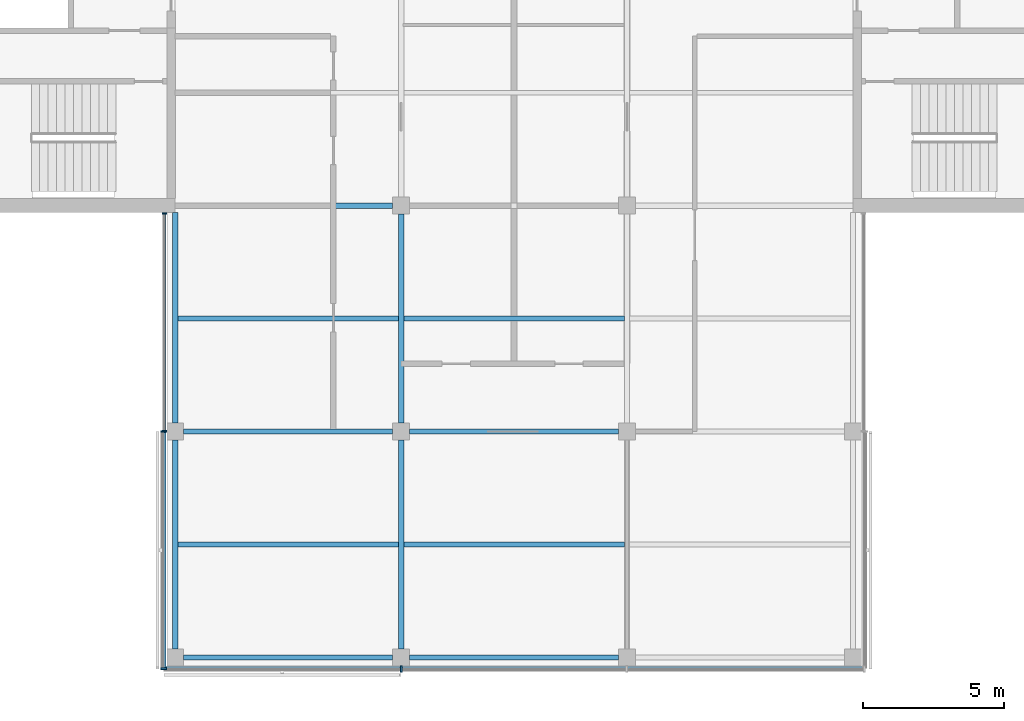
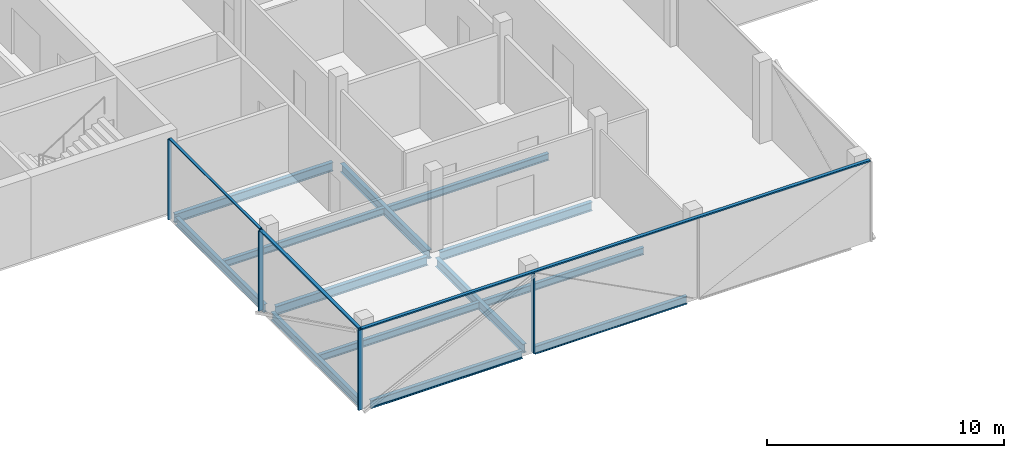
# One storey, part 2 of 15: 13 beams, 8 members, 3 elements without a shape of their own.
"""IFC4 building model written with IfcOpenShell, lengths in metres."""

from ifc_helpers import new_model, si_unit, direction, frame, origin, origin_2d, place, context, subcontext, project, spatial, rectangle, i_section, extrude, material, material_profile, profile_set, type_object, element, aggregate, save


model = new_model("IFC4")

# Units and contexts
model_context = context("Model", 3, precision=1e-05, world=origin(), true_north=direction((0.0, 1.0)))
body_context = subcontext(model_context, "Body", "Model", "MODEL_VIEW")
ifc_project = project(units=[si_unit("LENGTHUNIT", "METRE"), si_unit("AREAUNIT", "SQUARE_METRE"), si_unit("VOLUMEUNIT", "CUBIC_METRE"), si_unit("PLANEANGLEUNIT", "RADIAN"), si_unit("MASSUNIT", "GRAM", prefix="KILO")], contexts=[model_context])

# Site, building, storey
site_placement = place(None, origin())
site = spatial("IfcSite", under=ifc_project, at=site_placement, CompositionType="ELEMENT")
building_placement = place(site_placement, origin())
building = spatial("IfcBuilding", under=site, at=building_placement, Name="Crosswind Convention Tower", CompositionType="ELEMENT")
storey_placement = place(building_placement, frame((0.0, 0.0, 315.5)))
storey = spatial("IfcBuildingStorey", under=building, at=storey_placement, Name="L68", CompositionType="ELEMENT", Elevation=315.5)

# Beams
ifc_material_1 = material(Name="Steel S355", Category="steel")
ifc_material_profile_1 = material_profile(ifc_material_1, i_section(OverallWidth=0.177734375, OverallDepth=0.406494140625, WebThickness=0.0078125, FlangeThickness=0.0126953125, FilletRadius=0.01025390625, at=origin_2d()), Name="UB 406x178x60")
ifc_profile_set_1 = profile_set([ifc_material_profile_1], Name="Steel S355")
beam_type_1 = type_object("IfcBeamType", Name="Edge beam UB 406x178x60", PredefinedType="SPANDREL", material=ifc_profile_set_1)
beam_1_placement = place(storey_placement, frame((113.0, 72.300048828125, -0.503173828125), z_axis=(0.0, 1.0, 0.0), x_axis=(-1.0, 0.0, 0.0)))
element("IfcBeam", 1, at=beam_1_placement, inside=storey, type_object=beam_type_1, Name="B15 L68 edge beam 1", PredefinedType="SPANDREL", context=body_context, shape_type="SweptSolid", body=[
    extrude(i_section(OverallWidth=0.177734375, OverallDepth=0.406494140625, WebThickness=0.0078125, FlangeThickness=0.0126953125, FilletRadius=0.01025390625, at=origin_2d()), origin(), (0.0, 0.0, 1.0), 7.39990234375),
])
beam_2_placement = place(storey_placement, frame((113.0, 80.300048828125, -0.503173828125), z_axis=(0.0, 1.0, 0.0), x_axis=(-1.0, 0.0, 0.0)))
element("IfcBeam", 2, at=beam_2_placement, inside=storey, type_object=beam_type_1, Name="B15 L68 edge beam 2", PredefinedType="SPANDREL", context=body_context, shape_type="SweptSolid", body=[
    extrude(i_section(OverallWidth=0.177734375, OverallDepth=0.406494140625, WebThickness=0.0078125, FlangeThickness=0.0126953125, FilletRadius=0.01025390625, at=origin_2d()), origin(), (0.0, 0.0, 1.0), 7.449951171875),
])
for number, where, z_axis, x_axis, name in (
    (3, (113.300048828125, 72.0, -0.503173828125), (1.0, 0.0, 0.0), (0.0, 1.0, 0.0), "B15 L68 edge beam 5"),
    (4, (121.300048828125, 72.0, -0.503173828125), (1.0, 0.0, 0.0), (0.0, 1.0, 0.0), "B15 L68 edge beam 7"),
):
    element("IfcBeam", number, at=place(storey_placement, frame(where, z_axis=z_axis, x_axis=x_axis)), inside=storey, type_object=beam_type_1, Name=name, PredefinedType="SPANDREL", context=body_context, shape_type="SweptSolid", body=[
        extrude(i_section(OverallWidth=0.177734375, OverallDepth=0.406494140625, WebThickness=0.0078125, FlangeThickness=0.0126953125, FilletRadius=0.01025390625, at=origin_2d()), origin(), (0.0, 0.0, 1.0), 7.39990234375),
    ])
ifc_material_profile_2 = material_profile(ifc_material_1, i_section(OverallWidth=0.18994140625, OverallDepth=0.45361328125, WebThickness=0.008544921875, FlangeThickness=0.0126953125, FilletRadius=0.01025390625, at=origin_2d()), Name="UB 457x191x67")
ifc_profile_set_2 = profile_set([ifc_material_profile_2], Name="Steel S355")
beam_type_2 = type_object("IfcBeamType", Name="Girder UB 457x191x67", PredefinedType="BEAM", material=ifc_profile_set_2)
for number, where, z_axis, x_axis, name in (
    (5, (113.300048828125, 80.0, -0.52685546875), (1.0, 0.0, 0.0), (0.0, 1.0, 0.0), "B1 L68 girder 1"),
    (6, (121.0, 72.300048828125, -0.52685546875), (0.0, 1.0, 0.0), (-1.0, 0.0, 0.0), "B1 L68 girder 3"),
    (7, (121.0, 80.300048828125, -0.52685546875), (0.0, 1.0, 0.0), (-1.0, 0.0, 0.0), "B1 L68 girder 4"),
    (8, (121.300048828125, 80.0, -0.52685546875), (1.0, 0.0, 0.0), (0.0, 1.0, 0.0), "B1 L68 girder 10"),
):
    element("IfcBeam", number, at=place(storey_placement, frame(where, z_axis=z_axis, x_axis=x_axis)), inside=storey, type_object=beam_type_2, Name=name, PredefinedType="BEAM", context=body_context, shape_type="SweptSolid", body=[
        extrude(i_section(OverallWidth=0.18994140625, OverallDepth=0.45361328125, WebThickness=0.008544921875, FlangeThickness=0.0126953125, FilletRadius=0.01025390625, at=origin_2d()), origin(), (0.0, 0.0, 1.0), 7.39990234375),
    ])
ifc_material_profile_3 = material_profile(ifc_material_1, i_section(OverallWidth=0.1904296875, OverallDepth=0.457275390625, WebThickness=0.009033203125, FlangeThickness=0.014404296875, FilletRadius=0.01025390625, at=origin_2d()), Name="UB 457x191x75")
ifc_profile_set_3 = profile_set([ifc_material_profile_3], Name="Steel S355")
beam_type_3 = type_object("IfcBeamType", Name="Girder at core wall UB 457x191x75", PredefinedType="BEAM", material=ifc_profile_set_3)
beam_3_placement = place(storey_placement, frame((113.0, 88.0, -0.528564453125), z_axis=(1.0, 0.0, 0.0), x_axis=(0.0, 1.0, 0.0)))
element("IfcBeam", 9, at=beam_3_placement, inside=storey, type_object=beam_type_3, Name="B22 L68 girder at core wall 1", PredefinedType="BEAM", context=body_context, shape_type="SweptSolid", body=[
    extrude(i_section(OverallWidth=0.1904296875, OverallDepth=0.457275390625, WebThickness=0.009033203125, FlangeThickness=0.014404296875, FilletRadius=0.01025390625, at=origin_2d()), origin(), (0.0, 0.0, 1.0), 7.699951171875),
])

# Curtain wall, members
ifc_material_2 = material(Name="Aluminium unitised curtain wall", Category="aluminium")
curtain_wall_type_1 = type_object("IfcCurtainWallType", Name="CORE END SLOT WALL 160", PredefinedType="USERDEFINED", material=ifc_material_2)
curtain_wall_1_placement = place(storey_placement, origin())
curtain_wall_1 = element("IfcCurtainWall", 10, at=curtain_wall_1_placement, inside=storey, type_object=curtain_wall_type_1, Name="CW6 L68 S-W.1-1 slot", ObjectType="UNITISED", PredefinedType="USERDEFINED")
ifc_material_3 = material(Name="Aluminium mullion", Category="aluminium")
ifc_material_profile_4 = material_profile(ifc_material_3, rectangle(XDim=0.159912109375, YDim=0.050048828125, at=origin_2d()), Name="AL 160X50")
ifc_profile_set_4 = profile_set([ifc_material_profile_4], Name="Aluminium mullion")
member_type_1 = type_object("IfcMemberType", Name="MULLION 50X160", PredefinedType="MULLION", material=ifc_profile_set_4)
member_1_placement = place(storey_placement, frame((112.6201171875, 87.72509765625, -0.300048828125), z_axis=(0.0, 0.0, 1.0), x_axis=(-1.0, 0.0, 0.0)))
member_1 = element("IfcMember", 11, at=member_1_placement, type_object=member_type_1, Name="CW6 mullion 1", PredefinedType="MULLION", context=body_context, shape_type="SweptSolid", body=[
    extrude(rectangle(XDim=0.159912109375, YDim=0.050048828125, at=origin_2d()), origin(), (0.0, 0.0, 1.0), 4.150146484375),
])
member_2_placement = place(storey_placement, frame((112.6201171875, 80.02490234375, -0.300048828125), z_axis=(0.0, 0.0, 1.0), x_axis=(-1.0, 0.0, 0.0)))
member_2 = element("IfcMember", 12, at=member_2_placement, type_object=member_type_1, Name="CW6 mullion 2", PredefinedType="MULLION", context=body_context, shape_type="SweptSolid", body=[
    extrude(rectangle(XDim=0.159912109375, YDim=0.050048828125, at=origin_2d()), origin(), (0.0, 0.0, 1.0), 4.150146484375),
])

curtain_wall_type_2 = type_object("IfcCurtainWallType", Name="OFFICE UNITISED WALL 220", PredefinedType="USERDEFINED", material=ifc_material_2)
curtain_wall_2_placement = place(storey_placement, origin())
curtain_wall_2 = element("IfcCurtainWall", 13, at=curtain_wall_2_placement, inside=storey, type_object=curtain_wall_type_2, Name="CW3 L68 S-W 1", ObjectType="UNITISED", PredefinedType="USERDEFINED")
ifc_material_profile_5 = material_profile(ifc_material_3, rectangle(XDim=0.219970703125, YDim=0.070068359375, at=origin_2d()), Name="AL 220X70")
ifc_profile_set_5 = profile_set([ifc_material_profile_5], Name="Aluminium mullion")
member_type_2 = type_object("IfcMemberType", Name="MULLION 70X220", PredefinedType="MULLION", material=ifc_profile_set_5)
member_3_placement = place(storey_placement, frame((112.590087890625, 80.0, -0.300048828125), z_axis=(0.0, 0.0, 1.0), x_axis=(-1.0, 0.0, 0.0)))
member_3 = element("IfcMember", 14, at=member_3_placement, type_object=member_type_2, Name="CW3 mullion 1", PredefinedType="MULLION", context=body_context, shape_type="SweptSolid", body=[
    extrude(rectangle(XDim=0.219970703125, YDim=0.070068359375, at=origin_2d()), origin(), (0.0, 0.0, 1.0), 4.130126953125),
])
member_4_placement = place(storey_placement, frame((112.590087890625, 71.590087890625, -0.300048828125), z_axis=(0.0, 0.0, 1.0), x_axis=(-1.0, 0.0, 0.0)))
member_4 = element("IfcMember", 15, at=member_4_placement, type_object=member_type_2, Name="CW3 mullion 2", PredefinedType="MULLION", context=body_context, shape_type="SweptSolid", body=[
    extrude(rectangle(XDim=0.219970703125, YDim=0.070068359375, at=origin_2d()), origin(), (0.0, 0.0, 1.0), 4.130126953125),
])

# Curtain wall, member
curtain_wall_3_placement = place(storey_placement, origin())
curtain_wall_3 = element("IfcCurtainWall", 16, at=curtain_wall_3_placement, inside=storey, type_object=curtain_wall_type_2, Name="CW3 L68 S-TIP 1", ObjectType="UNITISED", PredefinedType="USERDEFINED")
member_5_placement = place(storey_placement, frame((121.0, 71.590087890625, -0.300048828125), z_axis=(0.0, 0.0, 1.0), x_axis=(0.0, -1.0, 0.0)))
member_5 = element("IfcMember", 17, at=member_5_placement, type_object=member_type_2, Name="CW3 mullion 2", PredefinedType="MULLION", context=body_context, shape_type="SweptSolid", body=[
    extrude(rectangle(XDim=0.219970703125, YDim=0.070068359375, at=origin_2d()), origin(), (0.0, 0.0, 1.0), 4.130126953125),
])

# Beams
ifc_material_profile_6 = material_profile(ifc_material_1, i_section(OverallWidth=0.17138671875, OverallDepth=0.355712890625, WebThickness=0.00732421875, FlangeThickness=0.011474609375, FilletRadius=0.01025390625, at=origin_2d()), Name="UB 356x171x51")
ifc_profile_set_6 = profile_set([ifc_material_profile_6], Name="Steel S355")
beam_type_4 = type_object("IfcBeamType", Name="Secondary beam UB 356x171x51", PredefinedType="JOIST", material=ifc_profile_set_6)
for number, where, z_axis, x_axis, name in (
    (18, (113.0888671875, 76.0, -0.477783203125), (1.0, 0.0, 0.0), (0.0, 1.0, 0.0), "B8 L68 secondary beam 4"),
    (19, (113.0888671875, 84.0, -0.477783203125), (1.0, 0.0, 0.0), (0.0, 1.0, 0.0), "B8 L68 secondary beam 5"),
):
    element("IfcBeam", number, at=place(storey_placement, frame(where, z_axis=z_axis, x_axis=x_axis)), inside=storey, type_object=beam_type_4, Name=name, PredefinedType="JOIST", context=body_context, shape_type="SweptSolid", body=[
        extrude(i_section(OverallWidth=0.17138671875, OverallDepth=0.355712890625, WebThickness=0.00732421875, FlangeThickness=0.011474609375, FilletRadius=0.01025390625, at=origin_2d()), origin(), (0.0, 0.0, 1.0), 7.816162109375),
    ])
for number, where, z_axis, x_axis, name in (
    (20, (121.094970703125, 76.0, -0.477783203125), (1.0, 0.0, 0.0), (0.0, 1.0, 0.0), "B8 L68 secondary beam 8"),
    (21, (121.094970703125, 84.0, -0.477783203125), (1.0, 0.0, 0.0), (0.0, 1.0, 0.0), "B8 L68 secondary beam 9"),
):
    element("IfcBeam", number, at=place(storey_placement, frame(where, z_axis=z_axis, x_axis=x_axis)), inside=storey, type_object=beam_type_4, Name=name, PredefinedType="JOIST", context=body_context, shape_type="SweptSolid", body=[
        extrude(i_section(OverallWidth=0.17138671875, OverallDepth=0.355712890625, WebThickness=0.00732421875, FlangeThickness=0.011474609375, FilletRadius=0.01025390625, at=origin_2d()), origin(), (0.0, 0.0, 1.0), 7.81005859375),
    ])

# Member
ifc_material_4 = material(Name="Aluminium transom", Category="aluminium")
ifc_material_profile_7 = material_profile(ifc_material_4, rectangle(XDim=0.1201171875, YDim=0.050048828125, at=origin_2d()), Name="AL 120X50")
ifc_profile_set_7 = profile_set([ifc_material_profile_7], Name="Aluminium transom")
member_type_3 = type_object("IfcMemberType", Name="TRANSOM 50X120", PredefinedType="USERDEFINED", material=ifc_profile_set_7)
member_6_placement = place(storey_placement, frame((112.6201171875, 87.699951171875, 3.875), z_axis=(0.0, -1.0, 0.0), x_axis=(1.0, 0.0, 0.0)))
member_6 = element("IfcMember", 22, at=member_6_placement, type_object=member_type_3, Name="CW6 transom", ObjectType="TRANSOM", PredefinedType="USERDEFINED", context=body_context, shape_type="SweptSolid", body=[
    extrude(rectangle(XDim=0.1201171875, YDim=0.050048828125, at=origin_2d()), origin(), (0.0, 0.0, 1.0), 7.64990234375),
])

aggregate(curtain_wall_1, [member_1, member_2, member_6])

ifc_material_profile_8 = material_profile(ifc_material_4, rectangle(XDim=0.159912109375, YDim=0.070068359375, at=origin_2d()), Name="AL 160X70")
ifc_profile_set_8 = profile_set([ifc_material_profile_8], Name="Aluminium transom")
member_type_4 = type_object("IfcMemberType", Name="TRANSOM 70X160", PredefinedType="USERDEFINED", material=ifc_profile_set_8)
member_7_placement = place(storey_placement, frame((112.590087890625, 79.965087890625, 3.864990234375), z_axis=(0.0, -1.0, 0.0), x_axis=(1.0, 0.0, 0.0)))
member_7 = element("IfcMember", 23, at=member_7_placement, type_object=member_type_4, Name="CW3 transom", ObjectType="TRANSOM", PredefinedType="USERDEFINED", context=body_context, shape_type="SweptSolid", body=[
    extrude(rectangle(XDim=0.159912109375, YDim=0.070068359375, at=origin_2d()), origin(), (0.0, 0.0, 1.0), 8.340087890625),
])

aggregate(curtain_wall_2, [member_3, member_4, member_7])

member_8_placement = place(storey_placement, frame((112.625, 71.590087890625, 3.864990234375), z_axis=(1.0, 0.0, 0.0), x_axis=(0.0, 1.0, 0.0)))
member_8 = element("IfcMember", 24, at=member_8_placement, type_object=member_type_4, Name="CW3 transom", ObjectType="TRANSOM", PredefinedType="USERDEFINED", context=body_context, shape_type="SweptSolid", body=[
    extrude(rectangle(XDim=0.159912109375, YDim=0.070068359375, at=origin_2d()), origin(), (0.0, 0.0, 1.0), 24.75),
])

aggregate(curtain_wall_3, [member_5, member_8])

save(model, "model.ifc")
